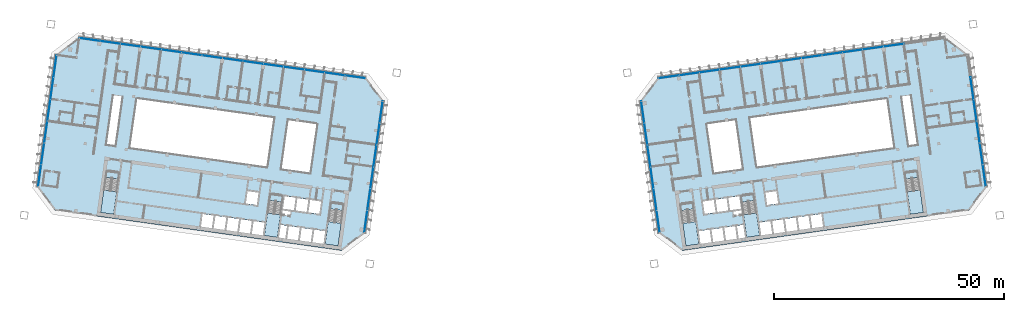
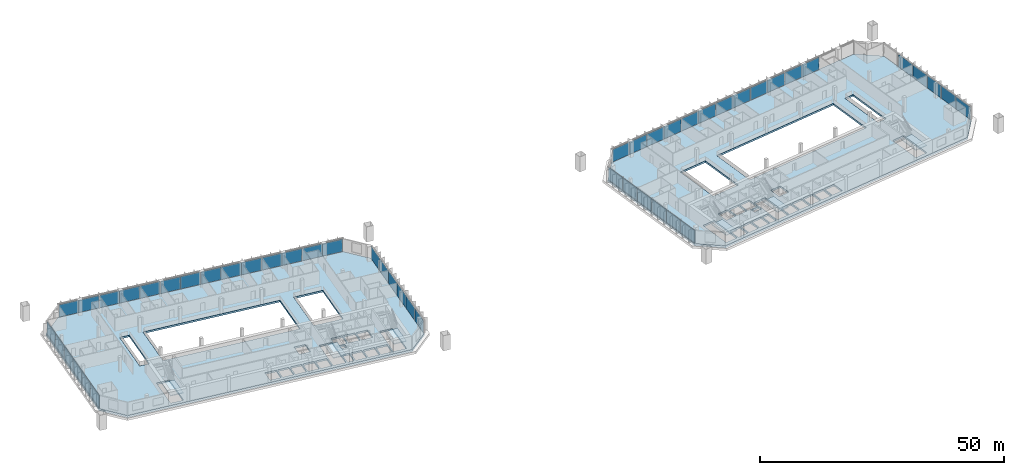
# One storey, part 12 of 24: 49 plates, 8 slabs, 12 elements without a shape of their own.
"""IFC4 building model written with IfcOpenShell, lengths in metres."""

from ifc_helpers import new_model, si_unit, direction, frame, origin, origin_2d, place, context, subcontext, project, spatial, polyline, rectangle, outline, extrude, material, layer, layer_set, type_object, element, aggregate, save


model = new_model("IFC4")

# Units and contexts
model_context = context("Model", 3, precision=1e-05, world=origin(), true_north=direction((0.0, 1.0)))
body_context = subcontext(model_context, "Body", "Model", "MODEL_VIEW")
ifc_project = project(units=[si_unit("LENGTHUNIT", "METRE"), si_unit("AREAUNIT", "SQUARE_METRE"), si_unit("VOLUMEUNIT", "CUBIC_METRE"), si_unit("PLANEANGLEUNIT", "RADIAN"), si_unit("MASSUNIT", "GRAM", prefix="KILO")], contexts=[model_context])

# Site, building, storey
site_placement = place(None, origin())
site = spatial("IfcSite", under=ifc_project, at=site_placement, CompositionType="ELEMENT")
building_placement = place(site_placement, origin())
building = spatial("IfcBuilding", under=site, at=building_placement, Name="Mirante Cascada Hotel Towers", CompositionType="ELEMENT")
storey_placement = place(building_placement, frame((0.0, 0.0, 132.9)))
storey = spatial("IfcBuildingStorey", under=building, at=storey_placement, Name="L30", CompositionType="ELEMENT", Elevation=132.9)

# Curtain wall, plates
ifc_material_1 = material(Name="Aluminium mullion and transom frame with clear laminated glass", Category="aluminium")
curtain_wall_type_1 = type_object("IfcCurtainWallType", Name="Ribbon curtain wall ECW1", PredefinedType="NOTDEFINED", material=ifc_material_1)
curtain_wall_1_placement = place(storey_placement, origin())
curtain_wall_1 = element("IfcCurtainWall", 1, at=curtain_wall_1_placement, inside=storey, type_object=curtain_wall_type_1, Name="Front ribbon wall T1 L30", PredefinedType="NOTDEFINED")
ifc_material_2 = material(Name="Clear laminated glass", Category="glass")
ifc_layer_1 = layer(ifc_material_2, 0.036)
ifc_layer_set_1 = layer_set([ifc_layer_1], Name="ECW1 glass panel 36")
plate_type_1 = type_object("IfcPlateType", Name="ECW1 glass panel 36", PredefinedType="CURTAIN_PANEL", material=ifc_layer_set_1)
plate_1_placement = place(storey_placement, frame((-91.9184, 25.7373, 0.1), z_axis=(0.0, 0.0, 1.0), x_axis=(0.9902681, -0.1391731, 0.0)))
plate_1 = element("IfcPlate", 2, at=plate_1_placement, type_object=plate_type_1, Name="ECW1 panel 1", PredefinedType="CURTAIN_PANEL", context=body_context, shape_type="SweptSolid", body=[
    extrude(rectangle(XDim=4.3936, YDim=0.036, at=origin_2d()), origin(), (0.0, 0.0, 1.0), 3.15),
])
plate_2_placement = place(storey_placement, frame((-87.487, 25.1145, 0.1), z_axis=(0.0, 0.0, 1.0), x_axis=(0.9902681, -0.1391731, 0.0)))
plate_2 = element("IfcPlate", 3, at=plate_2_placement, type_object=plate_type_1, Name="ECW1 panel 2", PredefinedType="CURTAIN_PANEL", context=body_context, shape_type="SweptSolid", body=[
    extrude(rectangle(XDim=4.4261, YDim=0.036, at=origin_2d()), origin(), (0.0, 0.0, 1.0), 3.15),
])
plate_3_placement = place(storey_placement, frame((-83.0396, 24.4895, 0.1), z_axis=(0.0, 0.0, 1.0), x_axis=(0.9902681, -0.1391731, 0.0)))
plate_3 = element("IfcPlate", 4, at=plate_3_placement, type_object=plate_type_1, Name="ECW1 panel 3", PredefinedType="CURTAIN_PANEL", context=body_context, shape_type="SweptSolid", body=[
    extrude(rectangle(XDim=4.4261, YDim=0.036, at=origin_2d()), origin(), (0.0, 0.0, 1.0), 3.15),
])
plate_4_placement = place(storey_placement, frame((-78.5922, 23.8644, 0.1), z_axis=(0.0, 0.0, 1.0), x_axis=(0.9902681, -0.1391731, 0.0)))
plate_4 = element("IfcPlate", 5, at=plate_4_placement, type_object=plate_type_1, Name="ECW1 panel 4", PredefinedType="CURTAIN_PANEL", context=body_context, shape_type="SweptSolid", body=[
    extrude(rectangle(XDim=4.4261, YDim=0.036, at=origin_2d()), origin(), (0.0, 0.0, 1.0), 3.15),
])
plate_5_placement = place(storey_placement, frame((-74.1448, 23.2394, 0.1), z_axis=(0.0, 0.0, 1.0), x_axis=(0.9902681, -0.1391731, 0.0)))
plate_5 = element("IfcPlate", 6, at=plate_5_placement, type_object=plate_type_1, Name="ECW1 panel 5", PredefinedType="CURTAIN_PANEL", context=body_context, shape_type="SweptSolid", body=[
    extrude(rectangle(XDim=4.4261, YDim=0.036, at=origin_2d()), origin(), (0.0, 0.0, 1.0), 3.15),
])
plate_6_placement = place(storey_placement, frame((-69.6974, 22.6144, 0.1), z_axis=(0.0, 0.0, 1.0), x_axis=(0.9902681, -0.1391731, 0.0)))
plate_6 = element("IfcPlate", 7, at=plate_6_placement, type_object=plate_type_1, Name="ECW1 panel 6", PredefinedType="CURTAIN_PANEL", context=body_context, shape_type="SweptSolid", body=[
    extrude(rectangle(XDim=4.4261, YDim=0.036, at=origin_2d()), origin(), (0.0, 0.0, 1.0), 3.15),
])
plate_7_placement = place(storey_placement, frame((-65.2499, 21.9893, 0.1), z_axis=(0.0, 0.0, 1.0), x_axis=(0.9902681, -0.1391731, 0.0)))
plate_7 = element("IfcPlate", 8, at=plate_7_placement, type_object=plate_type_1, Name="ECW1 panel 7", PredefinedType="CURTAIN_PANEL", context=body_context, shape_type="SweptSolid", body=[
    extrude(rectangle(XDim=4.4261, YDim=0.036, at=origin_2d()), origin(), (0.0, 0.0, 1.0), 3.15),
])
plate_8_placement = place(storey_placement, frame((-60.8025, 21.3643, 0.1), z_axis=(0.0, 0.0, 1.0), x_axis=(0.9902681, -0.1391731, 0.0)))
plate_8 = element("IfcPlate", 9, at=plate_8_placement, type_object=plate_type_1, Name="ECW1 panel 8", PredefinedType="CURTAIN_PANEL", context=body_context, shape_type="SweptSolid", body=[
    extrude(rectangle(XDim=4.4261, YDim=0.036, at=origin_2d()), origin(), (0.0, 0.0, 1.0), 3.15),
])
plate_9_placement = place(storey_placement, frame((-56.3551, 20.7392, 0.1), z_axis=(0.0, 0.0, 1.0), x_axis=(0.9902681, -0.1391731, 0.0)))
plate_9 = element("IfcPlate", 10, at=plate_9_placement, type_object=plate_type_1, Name="ECW1 panel 9", PredefinedType="CURTAIN_PANEL", context=body_context, shape_type="SweptSolid", body=[
    extrude(rectangle(XDim=4.4261, YDim=0.036, at=origin_2d()), origin(), (0.0, 0.0, 1.0), 3.15),
])
plate_10_placement = place(storey_placement, frame((-51.9077, 20.1142, 0.1), z_axis=(0.0, 0.0, 1.0), x_axis=(0.9902681, -0.1391731, 0.0)))
plate_10 = element("IfcPlate", 11, at=plate_10_placement, type_object=plate_type_1, Name="ECW1 panel 10", PredefinedType="CURTAIN_PANEL", context=body_context, shape_type="SweptSolid", body=[
    extrude(rectangle(XDim=4.4261, YDim=0.036, at=origin_2d()), origin(), (0.0, 0.0, 1.0), 3.15),
])
plate_11_placement = place(storey_placement, frame((-47.4603, 19.4891, 0.1), z_axis=(0.0, 0.0, 1.0), x_axis=(0.9902681, -0.1391731, 0.0)))
plate_11 = element("IfcPlate", 12, at=plate_11_placement, type_object=plate_type_1, Name="ECW1 panel 11", PredefinedType="CURTAIN_PANEL", context=body_context, shape_type="SweptSolid", body=[
    extrude(rectangle(XDim=4.4261, YDim=0.036, at=origin_2d()), origin(), (0.0, 0.0, 1.0), 3.15),
])
plate_12_placement = place(storey_placement, frame((-43.0129, 18.8641, 0.1), z_axis=(0.0, 0.0, 1.0), x_axis=(0.9902681, -0.1391731, 0.0)))
plate_12 = element("IfcPlate", 13, at=plate_12_placement, type_object=plate_type_1, Name="ECW1 panel 12", PredefinedType="CURTAIN_PANEL", context=body_context, shape_type="SweptSolid", body=[
    extrude(rectangle(XDim=4.4261, YDim=0.036, at=origin_2d()), origin(), (0.0, 0.0, 1.0), 3.15),
])
plate_13_placement = place(storey_placement, frame((-38.5654, 18.239, 0.1), z_axis=(0.0, 0.0, 1.0), x_axis=(0.9902681, -0.1391731, 0.0)))
plate_13 = element("IfcPlate", 14, at=plate_13_placement, type_object=plate_type_1, Name="ECW1 panel 13", PredefinedType="CURTAIN_PANEL", context=body_context, shape_type="SweptSolid", body=[
    extrude(rectangle(XDim=4.4261, YDim=0.036, at=origin_2d()), origin(), (0.0, 0.0, 1.0), 3.15),
])
plate_14_placement = place(storey_placement, frame((-34.1341, 17.6163, 0.1), z_axis=(0.0, 0.0, 1.0), x_axis=(0.9902681, -0.1391731, 0.0)))
plate_14 = element("IfcPlate", 15, at=plate_14_placement, type_object=plate_type_1, Name="ECW1 panel 14", PredefinedType="CURTAIN_PANEL", context=body_context, shape_type="SweptSolid", body=[
    extrude(rectangle(XDim=4.3936, YDim=0.036, at=origin_2d()), origin(), (0.0, 0.0, 1.0), 3.15),
])
aggregate(curtain_wall_1, [plate_1, plate_2, plate_3, plate_4, plate_5, plate_6, plate_7, plate_8, plate_9, plate_10, plate_11, plate_12, plate_13, plate_14])

curtain_wall_2_placement = place(storey_placement, origin())
curtain_wall_2 = element("IfcCurtainWall", 16, at=curtain_wall_2_placement, inside=storey, type_object=curtain_wall_type_1, Name="Front ribbon wall T2 L30", PredefinedType="NOTDEFINED")
plate_15_placement = place(storey_placement, frame((83.0396, 24.4895, 0.1), z_axis=(0.0, 0.0, 1.0), x_axis=(-0.9902681, -0.1391731, 0.0)))
plate_15 = element("IfcPlate", 17, at=plate_15_placement, type_object=plate_type_1, Name="ECW1 panel 3", PredefinedType="CURTAIN_PANEL", context=body_context, shape_type="SweptSolid", body=[
    extrude(rectangle(XDim=4.4261, YDim=0.036, at=origin_2d()), origin(), (0.0, 0.0, 1.0), 3.15),
])
plate_16_placement = place(storey_placement, frame((78.5922, 23.8644, 0.1), z_axis=(0.0, 0.0, 1.0), x_axis=(-0.9902681, -0.1391731, 0.0)))
plate_16 = element("IfcPlate", 18, at=plate_16_placement, type_object=plate_type_1, Name="ECW1 panel 4", PredefinedType="CURTAIN_PANEL", context=body_context, shape_type="SweptSolid", body=[
    extrude(rectangle(XDim=4.4261, YDim=0.036, at=origin_2d()), origin(), (0.0, 0.0, 1.0), 3.15),
])
plate_17_placement = place(storey_placement, frame((74.1448, 23.2394, 0.1), z_axis=(0.0, 0.0, 1.0), x_axis=(-0.9902681, -0.1391731, 0.0)))
plate_17 = element("IfcPlate", 19, at=plate_17_placement, type_object=plate_type_1, Name="ECW1 panel 5", PredefinedType="CURTAIN_PANEL", context=body_context, shape_type="SweptSolid", body=[
    extrude(rectangle(XDim=4.4261, YDim=0.036, at=origin_2d()), origin(), (0.0, 0.0, 1.0), 3.15),
])
plate_18_placement = place(storey_placement, frame((69.6974, 22.6144, 0.1), z_axis=(0.0, 0.0, 1.0), x_axis=(-0.9902681, -0.1391731, 0.0)))
plate_18 = element("IfcPlate", 20, at=plate_18_placement, type_object=plate_type_1, Name="ECW1 panel 6", PredefinedType="CURTAIN_PANEL", context=body_context, shape_type="SweptSolid", body=[
    extrude(rectangle(XDim=4.4261, YDim=0.036, at=origin_2d()), origin(), (0.0, 0.0, 1.0), 3.15),
])
plate_19_placement = place(storey_placement, frame((65.2499, 21.9893, 0.1), z_axis=(0.0, 0.0, 1.0), x_axis=(-0.9902681, -0.1391731, 0.0)))
plate_19 = element("IfcPlate", 21, at=plate_19_placement, type_object=plate_type_1, Name="ECW1 panel 7", PredefinedType="CURTAIN_PANEL", context=body_context, shape_type="SweptSolid", body=[
    extrude(rectangle(XDim=4.4261, YDim=0.036, at=origin_2d()), origin(), (0.0, 0.0, 1.0), 3.15),
])
plate_20_placement = place(storey_placement, frame((60.8025, 21.3643, 0.1), z_axis=(0.0, 0.0, 1.0), x_axis=(-0.9902681, -0.1391731, 0.0)))
plate_20 = element("IfcPlate", 22, at=plate_20_placement, type_object=plate_type_1, Name="ECW1 panel 8", PredefinedType="CURTAIN_PANEL", context=body_context, shape_type="SweptSolid", body=[
    extrude(rectangle(XDim=4.4261, YDim=0.036, at=origin_2d()), origin(), (0.0, 0.0, 1.0), 3.15),
])
plate_21_placement = place(storey_placement, frame((56.3551, 20.7392, 0.1), z_axis=(0.0, 0.0, 1.0), x_axis=(-0.9902681, -0.1391731, 0.0)))
plate_21 = element("IfcPlate", 23, at=plate_21_placement, type_object=plate_type_1, Name="ECW1 panel 9", PredefinedType="CURTAIN_PANEL", context=body_context, shape_type="SweptSolid", body=[
    extrude(rectangle(XDim=4.4261, YDim=0.036, at=origin_2d()), origin(), (0.0, 0.0, 1.0), 3.15),
])
plate_22_placement = place(storey_placement, frame((51.9077, 20.1142, 0.1), z_axis=(0.0, 0.0, 1.0), x_axis=(-0.9902681, -0.1391731, 0.0)))
plate_22 = element("IfcPlate", 24, at=plate_22_placement, type_object=plate_type_1, Name="ECW1 panel 10", PredefinedType="CURTAIN_PANEL", context=body_context, shape_type="SweptSolid", body=[
    extrude(rectangle(XDim=4.4261, YDim=0.036, at=origin_2d()), origin(), (0.0, 0.0, 1.0), 3.15),
])
plate_23_placement = place(storey_placement, frame((47.4603, 19.4891, 0.1), z_axis=(0.0, 0.0, 1.0), x_axis=(-0.9902681, -0.1391731, 0.0)))
plate_23 = element("IfcPlate", 25, at=plate_23_placement, type_object=plate_type_1, Name="ECW1 panel 11", PredefinedType="CURTAIN_PANEL", context=body_context, shape_type="SweptSolid", body=[
    extrude(rectangle(XDim=4.4261, YDim=0.036, at=origin_2d()), origin(), (0.0, 0.0, 1.0), 3.15),
])
plate_24_placement = place(storey_placement, frame((43.0129, 18.8641, 0.1), z_axis=(0.0, 0.0, 1.0), x_axis=(-0.9902681, -0.1391731, 0.0)))
plate_24 = element("IfcPlate", 26, at=plate_24_placement, type_object=plate_type_1, Name="ECW1 panel 12", PredefinedType="CURTAIN_PANEL", context=body_context, shape_type="SweptSolid", body=[
    extrude(rectangle(XDim=4.4261, YDim=0.036, at=origin_2d()), origin(), (0.0, 0.0, 1.0), 3.15),
])
plate_25_placement = place(storey_placement, frame((38.5654, 18.239, 0.1), z_axis=(0.0, 0.0, 1.0), x_axis=(-0.9902681, -0.1391731, 0.0)))
plate_25 = element("IfcPlate", 27, at=plate_25_placement, type_object=plate_type_1, Name="ECW1 panel 13", PredefinedType="CURTAIN_PANEL", context=body_context, shape_type="SweptSolid", body=[
    extrude(rectangle(XDim=4.4261, YDim=0.036, at=origin_2d()), origin(), (0.0, 0.0, 1.0), 3.15),
])
plate_26_placement = place(storey_placement, frame((34.1341, 17.6163, 0.1), z_axis=(0.0, 0.0, 1.0), x_axis=(-0.9902681, -0.1391731, 0.0)))
plate_26 = element("IfcPlate", 28, at=plate_26_placement, type_object=plate_type_1, Name="ECW1 panel 14", PredefinedType="CURTAIN_PANEL", context=body_context, shape_type="SweptSolid", body=[
    extrude(rectangle(XDim=4.3936, YDim=0.036, at=origin_2d()), origin(), (0.0, 0.0, 1.0), 3.15),
])
aggregate(curtain_wall_2, [plate_15, plate_16, plate_17, plate_18, plate_19, plate_20, plate_21, plate_22, plate_23, plate_24, plate_25, plate_26])

ifc_material_3 = material(Name="Aluminium mullion and transom frame with clear laminated glass", Category="aluminium")
curtain_wall_type_2 = type_object("IfcCurtainWallType", Name="End ribbon curtain wall ECW2", PredefinedType="NOTDEFINED", material=ifc_material_3)
curtain_wall_3_placement = place(storey_placement, origin())
curtain_wall_3 = element("IfcCurtainWall", 29, at=curtain_wall_3_placement, inside=storey, type_object=curtain_wall_type_2, Name="Inner end wall T1 L30", PredefinedType="NOTDEFINED")
ifc_material_4 = material(Name="Clear laminated glass", Category="glass")
ifc_layer_2 = layer(ifc_material_4, 0.034)
ifc_layer_set_2 = layer_set([ifc_layer_2], Name="ECW2 glass panel 34")
plate_type_2 = type_object("IfcPlateType", Name="ECW2 glass panel 34", PredefinedType="CURTAIN_PANEL", material=ifc_layer_set_2)
plate_27_placement = place(storey_placement, frame((-28.4763, 9.9193, 0.1), z_axis=(0.0, 0.0, 1.0), x_axis=(-0.1391731, -0.9902681, 0.0)))
plate_27 = element("IfcPlate", 30, at=plate_27_placement, type_object=plate_type_2, Name="ECW2 panel 1", PredefinedType="CURTAIN_PANEL", context=body_context, shape_type="SweptSolid", body=[
    extrude(rectangle(XDim=4.7151, YDim=0.034, at=origin_2d()), origin(), (0.0, 0.0, 1.0), 3.15),
])
plate_28_placement = place(storey_placement, frame((-29.1439, 5.1696, 0.1), z_axis=(0.0, 0.0, 1.0), x_axis=(-0.1391731, -0.9902681, 0.0)))
plate_28 = element("IfcPlate", 31, at=plate_28_placement, type_object=plate_type_2, Name="ECW2 panel 2", PredefinedType="CURTAIN_PANEL", context=body_context, shape_type="SweptSolid", body=[
    extrude(rectangle(XDim=4.7476, YDim=0.034, at=origin_2d()), origin(), (0.0, 0.0, 1.0), 3.15),
])
plate_29_placement = place(storey_placement, frame((-29.8136, 0.4038, 0.1), z_axis=(0.0, 0.0, 1.0), x_axis=(-0.1391731, -0.9902681, 0.0)))
plate_29 = element("IfcPlate", 32, at=plate_29_placement, type_object=plate_type_2, Name="ECW2 panel 3", PredefinedType="CURTAIN_PANEL", context=body_context, shape_type="SweptSolid", body=[
    extrude(rectangle(XDim=4.7476, YDim=0.034, at=origin_2d()), origin(), (0.0, 0.0, 1.0), 3.15),
])
plate_30_placement = place(storey_placement, frame((-30.4834, -4.362, 0.1), z_axis=(0.0, 0.0, 1.0), x_axis=(-0.1391731, -0.9902681, 0.0)))
plate_30 = element("IfcPlate", 33, at=plate_30_placement, type_object=plate_type_2, Name="ECW2 panel 4", PredefinedType="CURTAIN_PANEL", context=body_context, shape_type="SweptSolid", body=[
    extrude(rectangle(XDim=4.7476, YDim=0.034, at=origin_2d()), origin(), (0.0, 0.0, 1.0), 3.15),
])
plate_31_placement = place(storey_placement, frame((-31.1532, -9.1278, 0.1), z_axis=(0.0, 0.0, 1.0), x_axis=(-0.1391731, -0.9902681, 0.0)))
plate_31 = element("IfcPlate", 34, at=plate_31_placement, type_object=plate_type_2, Name="ECW2 panel 5", PredefinedType="CURTAIN_PANEL", context=body_context, shape_type="SweptSolid", body=[
    extrude(rectangle(XDim=4.7476, YDim=0.034, at=origin_2d()), origin(), (0.0, 0.0, 1.0), 3.15),
])
plate_32_placement = place(storey_placement, frame((-31.8207, -13.8775, 0.1), z_axis=(0.0, 0.0, 1.0), x_axis=(-0.1391731, -0.9902681, 0.0)))
plate_32 = element("IfcPlate", 35, at=plate_32_placement, type_object=plate_type_2, Name="ECW2 panel 6", PredefinedType="CURTAIN_PANEL", context=body_context, shape_type="SweptSolid", body=[
    extrude(rectangle(XDim=4.7151, YDim=0.034, at=origin_2d()), origin(), (0.0, 0.0, 1.0), 3.15),
])
aggregate(curtain_wall_3, [plate_27, plate_28, plate_29, plate_30, plate_31, plate_32])

curtain_wall_4_placement = place(storey_placement, origin())
curtain_wall_4 = element("IfcCurtainWall", 36, at=curtain_wall_4_placement, inside=storey, type_object=curtain_wall_type_2, Name="Outer end wall T1 L30", PredefinedType="NOTDEFINED")
plate_33_placement = place(storey_placement, frame((-102.823, -3.8988, 0.1), z_axis=(0.0, 0.0, 1.0), x_axis=(0.1391731, 0.9902681, 0.0)))
plate_33 = element("IfcPlate", 37, at=plate_33_placement, type_object=plate_type_2, Name="ECW2 panel 1", PredefinedType="CURTAIN_PANEL", context=body_context, shape_type="SweptSolid", body=[
    extrude(rectangle(XDim=4.7151, YDim=0.034, at=origin_2d()), origin(), (0.0, 0.0, 1.0), 3.15),
])
plate_34_placement = place(storey_placement, frame((-101.4857, 5.6167, 0.1), z_axis=(0.0, 0.0, 1.0), x_axis=(0.1391731, 0.9902681, 0.0)))
plate_34 = element("IfcPlate", 38, at=plate_34_placement, type_object=plate_type_2, Name="ECW2 panel 3", PredefinedType="CURTAIN_PANEL", context=body_context, shape_type="SweptSolid", body=[
    extrude(rectangle(XDim=4.7476, YDim=0.034, at=origin_2d()), origin(), (0.0, 0.0, 1.0), 3.15),
])
plate_35_placement = place(storey_placement, frame((-100.8159, 10.3825, 0.1), z_axis=(0.0, 0.0, 1.0), x_axis=(0.1391731, 0.9902681, 0.0)))
plate_35 = element("IfcPlate", 39, at=plate_35_placement, type_object=plate_type_2, Name="ECW2 panel 4", PredefinedType="CURTAIN_PANEL", context=body_context, shape_type="SweptSolid", body=[
    extrude(rectangle(XDim=4.7476, YDim=0.034, at=origin_2d()), origin(), (0.0, 0.0, 1.0), 3.15),
])
plate_36_placement = place(storey_placement, frame((-99.4786, 19.898, 0.1), z_axis=(0.0, 0.0, 1.0), x_axis=(0.1391731, 0.9902681, 0.0)))
plate_36 = element("IfcPlate", 40, at=plate_36_placement, type_object=plate_type_2, Name="ECW2 panel 6", PredefinedType="CURTAIN_PANEL", context=body_context, shape_type="SweptSolid", body=[
    extrude(rectangle(XDim=4.7151, YDim=0.034, at=origin_2d()), origin(), (0.0, 0.0, 1.0), 3.15),
])

curtain_wall_5_placement = place(storey_placement, origin())
curtain_wall_5 = element("IfcCurtainWall", 41, at=curtain_wall_5_placement, inside=storey, type_object=curtain_wall_type_2, Name="Inner end wall T2 L30", PredefinedType="NOTDEFINED")
plate_37_placement = place(storey_placement, frame((28.4763, 9.9193, 0.1), z_axis=(0.0, 0.0, 1.0), x_axis=(0.1391731, -0.9902681, 0.0)))
plate_37 = element("IfcPlate", 42, at=plate_37_placement, type_object=plate_type_2, Name="ECW2 panel 1", PredefinedType="CURTAIN_PANEL", context=body_context, shape_type="SweptSolid", body=[
    extrude(rectangle(XDim=4.7151, YDim=0.034, at=origin_2d()), origin(), (0.0, 0.0, 1.0), 3.15),
])
plate_38_placement = place(storey_placement, frame((29.1439, 5.1696, 0.1), z_axis=(0.0, 0.0, 1.0), x_axis=(0.1391731, -0.9902681, 0.0)))
plate_38 = element("IfcPlate", 43, at=plate_38_placement, type_object=plate_type_2, Name="ECW2 panel 2", PredefinedType="CURTAIN_PANEL", context=body_context, shape_type="SweptSolid", body=[
    extrude(rectangle(XDim=4.7476, YDim=0.034, at=origin_2d()), origin(), (0.0, 0.0, 1.0), 3.15),
])
plate_39_placement = place(storey_placement, frame((29.8136, 0.4038, 0.1), z_axis=(0.0, 0.0, 1.0), x_axis=(0.1391731, -0.9902681, 0.0)))
plate_39 = element("IfcPlate", 44, at=plate_39_placement, type_object=plate_type_2, Name="ECW2 panel 3", PredefinedType="CURTAIN_PANEL", context=body_context, shape_type="SweptSolid", body=[
    extrude(rectangle(XDim=4.7476, YDim=0.034, at=origin_2d()), origin(), (0.0, 0.0, 1.0), 3.15),
])
plate_40_placement = place(storey_placement, frame((30.4834, -4.362, 0.1), z_axis=(0.0, 0.0, 1.0), x_axis=(0.1391731, -0.9902681, 0.0)))
plate_40 = element("IfcPlate", 45, at=plate_40_placement, type_object=plate_type_2, Name="ECW2 panel 4", PredefinedType="CURTAIN_PANEL", context=body_context, shape_type="SweptSolid", body=[
    extrude(rectangle(XDim=4.7476, YDim=0.034, at=origin_2d()), origin(), (0.0, 0.0, 1.0), 3.15),
])
plate_41_placement = place(storey_placement, frame((31.1532, -9.1278, 0.1), z_axis=(0.0, 0.0, 1.0), x_axis=(0.1391731, -0.9902681, 0.0)))
plate_41 = element("IfcPlate", 46, at=plate_41_placement, type_object=plate_type_2, Name="ECW2 panel 5", PredefinedType="CURTAIN_PANEL", context=body_context, shape_type="SweptSolid", body=[
    extrude(rectangle(XDim=4.7476, YDim=0.034, at=origin_2d()), origin(), (0.0, 0.0, 1.0), 3.15),
])
plate_42_placement = place(storey_placement, frame((31.8207, -13.8775, 0.1), z_axis=(0.0, 0.0, 1.0), x_axis=(0.1391731, -0.9902681, 0.0)))
plate_42 = element("IfcPlate", 47, at=plate_42_placement, type_object=plate_type_2, Name="ECW2 panel 6", PredefinedType="CURTAIN_PANEL", context=body_context, shape_type="SweptSolid", body=[
    extrude(rectangle(XDim=4.7151, YDim=0.034, at=origin_2d()), origin(), (0.0, 0.0, 1.0), 3.15),
])
aggregate(curtain_wall_5, [plate_37, plate_38, plate_39, plate_40, plate_41, plate_42])

curtain_wall_6_placement = place(storey_placement, origin())
curtain_wall_6 = element("IfcCurtainWall", 48, at=curtain_wall_6_placement, inside=storey, type_object=curtain_wall_type_2, Name="Outer end wall T2 L30", PredefinedType="NOTDEFINED")
plate_43_placement = place(storey_placement, frame((102.823, -3.8988, 0.1), z_axis=(0.0, 0.0, 1.0), x_axis=(-0.1391731, 0.9902681, 0.0)))
plate_43 = element("IfcPlate", 49, at=plate_43_placement, type_object=plate_type_2, Name="ECW2 panel 1", PredefinedType="CURTAIN_PANEL", context=body_context, shape_type="SweptSolid", body=[
    extrude(rectangle(XDim=4.7151, YDim=0.034, at=origin_2d()), origin(), (0.0, 0.0, 1.0), 3.15),
])
plate_44_placement = place(storey_placement, frame((101.4857, 5.6167, 0.1), z_axis=(0.0, 0.0, 1.0), x_axis=(-0.1391731, 0.9902681, 0.0)))
plate_44 = element("IfcPlate", 50, at=plate_44_placement, type_object=plate_type_2, Name="ECW2 panel 3", PredefinedType="CURTAIN_PANEL", context=body_context, shape_type="SweptSolid", body=[
    extrude(rectangle(XDim=4.7476, YDim=0.034, at=origin_2d()), origin(), (0.0, 0.0, 1.0), 3.15),
])
plate_45_placement = place(storey_placement, frame((100.8159, 10.3825, 0.1), z_axis=(0.0, 0.0, 1.0), x_axis=(-0.1391731, 0.9902681, 0.0)))
plate_45 = element("IfcPlate", 51, at=plate_45_placement, type_object=plate_type_2, Name="ECW2 panel 4", PredefinedType="CURTAIN_PANEL", context=body_context, shape_type="SweptSolid", body=[
    extrude(rectangle(XDim=4.7476, YDim=0.034, at=origin_2d()), origin(), (0.0, 0.0, 1.0), 3.15),
])

# Plate
ifc_material_5 = material(Name="Insulated aluminium spandrel panel", Category="aluminium")
ifc_layer_3 = layer(ifc_material_5, 0.034)
ifc_layer_set_3 = layer_set([ifc_layer_3], Name="ECW2 spandrel panel 34")
plate_type_3 = type_object("IfcPlateType", Name="ECW2 spandrel panel 34", PredefinedType="CURTAIN_PANEL", material=ifc_layer_set_3)
plate_46_placement = place(storey_placement, frame((-102.1554, 0.8509, 0.1), z_axis=(0.0, 0.0, 1.0), x_axis=(0.1391731, 0.9902681, 0.0)))
plate_46 = element("IfcPlate", 52, at=plate_46_placement, type_object=plate_type_3, Name="ECW2 panel 2", PredefinedType="CURTAIN_PANEL", context=body_context, shape_type="SweptSolid", body=[
    extrude(rectangle(XDim=4.7476, YDim=0.034, at=origin_2d()), origin(), (0.0, 0.0, 1.0), 3.15),
])

plate_47_placement = place(storey_placement, frame((-100.1461, 15.1483, 0.1), z_axis=(0.0, 0.0, 1.0), x_axis=(0.1391731, 0.9902681, 0.0)))
plate_47 = element("IfcPlate", 53, at=plate_47_placement, type_object=plate_type_3, Name="ECW2 panel 5", PredefinedType="CURTAIN_PANEL", context=body_context, shape_type="SweptSolid", body=[
    extrude(rectangle(XDim=4.7476, YDim=0.034, at=origin_2d()), origin(), (0.0, 0.0, 1.0), 3.15),
])

aggregate(curtain_wall_4, [plate_33, plate_46, plate_34, plate_35, plate_47, plate_36])

plate_48_placement = place(storey_placement, frame((102.1554, 0.8509, 0.1), z_axis=(0.0, 0.0, 1.0), x_axis=(-0.1391731, 0.9902681, 0.0)))
plate_48 = element("IfcPlate", 54, at=plate_48_placement, type_object=plate_type_3, Name="ECW2 panel 2", PredefinedType="CURTAIN_PANEL", context=body_context, shape_type="SweptSolid", body=[
    extrude(rectangle(XDim=4.7476, YDim=0.034, at=origin_2d()), origin(), (0.0, 0.0, 1.0), 3.15),
])

plate_49_placement = place(storey_placement, frame((100.1461, 15.1483, 0.1), z_axis=(0.0, 0.0, 1.0), x_axis=(-0.1391731, 0.9902681, 0.0)))
plate_49 = element("IfcPlate", 55, at=plate_49_placement, type_object=plate_type_3, Name="ECW2 panel 5", PredefinedType="CURTAIN_PANEL", context=body_context, shape_type="SweptSolid", body=[
    extrude(rectangle(XDim=4.7476, YDim=0.034, at=origin_2d()), origin(), (0.0, 0.0, 1.0), 3.15),
])

aggregate(curtain_wall_6, [plate_43, plate_48, plate_44, plate_45, plate_49])

# Stair, slab
ifc_material_6 = material(Name="Concrete C35/45", Category="concrete")
stair_type = type_object("IfcStairType", Name="Exit stair half-turn 1350 concrete C35/45", PredefinedType="HALF_TURN_STAIR", material=ifc_material_6)
stair_1_placement = place(storey_placement, origin())
stair_1 = element("IfcStair", 56, at=stair_1_placement, inside=storey, type_object=stair_type, Name="L30 Exit stair A", PredefinedType="HALF_TURN_STAIR")
ifc_material_7 = material(Name="Concrete C35/45", Category="concrete")
ifc_layer_4 = layer(ifc_material_7, 0.2)
ifc_layer_set_4 = layer_set([ifc_layer_4], Name="Exit stair landing 200 concrete C35/45")
slab_type_1 = type_object("IfcSlabType", Name="Exit stair landing 200 concrete C35/45", PredefinedType="LANDING", material=ifc_layer_set_4)
slab_1_placement = place(storey_placement, frame((0.0, 0.0, 1.7)))
slab_1 = element("IfcSlab", 57, at=slab_1_placement, type_object=slab_type_1, Name="ST1-A landing 1", PredefinedType="LANDING", context=body_context, shape_type="SweptSolid", body=[
    extrude(outline(polyline([(-39.9987, -13.8659), (-40.6887, -18.7757), (-37.8665, -19.1723), (-37.1765, -14.2626), (-39.9987, -13.8659)])), origin(), (0.0, 0.0, 1.0), 0.2),
])
aggregate(stair_1, [slab_1])

stair_2_placement = place(storey_placement, origin())
stair_2 = element("IfcStair", 58, at=stair_2_placement, inside=storey, type_object=stair_type, Name="L30 Exit stair B", PredefinedType="HALF_TURN_STAIR")
slab_2_placement = place(storey_placement, frame((0.0, 0.0, 1.7)))
slab_2 = element("IfcSlab", 59, at=slab_2_placement, type_object=slab_type_1, Name="ST1-B landing 1", PredefinedType="LANDING", context=body_context, shape_type="SweptSolid", body=[
    extrude(outline(polyline([(-53.2188, -12.008), (-53.9088, -16.9177), (-51.0866, -17.3144), (-50.3965, -12.4046), (-53.2188, -12.008)])), origin(), (0.0, 0.0, 1.0), 0.2),
])
aggregate(stair_2, [slab_2])

stair_3_placement = place(storey_placement, origin())
stair_3 = element("IfcStair", 60, at=stair_3_placement, inside=storey, type_object=stair_type, Name="L30 Exit stair C", PredefinedType="HALF_TURN_STAIR")
slab_3_placement = place(storey_placement, frame((0.0, 0.0, 1.7)))
slab_3 = element("IfcSlab", 61, at=slab_3_placement, type_object=slab_type_1, Name="ST1-C landing 1", PredefinedType="LANDING", context=body_context, shape_type="SweptSolid", body=[
    extrude(outline(polyline([(-88.8685, -6.9977), (-89.5585, -11.9075), (-86.7362, -12.3041), (-86.0462, -7.3944), (-88.8685, -6.9977)])), origin(), (0.0, 0.0, 1.0), 0.2),
])
aggregate(stair_3, [slab_3])

stair_4_placement = place(storey_placement, origin())
stair_4 = element("IfcStair", 62, at=stair_4_placement, inside=storey, type_object=stair_type, Name="L30 Exit stair A", PredefinedType="HALF_TURN_STAIR")
slab_4_placement = place(storey_placement, frame((0.0, 0.0, 1.7)))
slab_4 = element("IfcSlab", 63, at=slab_4_placement, type_object=slab_type_1, Name="ST2-A landing 1", PredefinedType="LANDING", context=body_context, shape_type="SweptSolid", body=[
    extrude(outline(polyline([(37.1765, -14.2626), (37.8665, -19.1723), (40.6887, -18.7757), (39.9987, -13.8659), (37.1765, -14.2626)])), origin(), (0.0, 0.0, 1.0), 0.2),
])
aggregate(stair_4, [slab_4])

stair_5_placement = place(storey_placement, origin())
stair_5 = element("IfcStair", 64, at=stair_5_placement, inside=storey, type_object=stair_type, Name="L30 Exit stair B", PredefinedType="HALF_TURN_STAIR")
slab_5_placement = place(storey_placement, frame((0.0, 0.0, 1.7)))
slab_5 = element("IfcSlab", 65, at=slab_5_placement, type_object=slab_type_1, Name="ST2-B landing 1", PredefinedType="LANDING", context=body_context, shape_type="SweptSolid", body=[
    extrude(outline(polyline([(50.3965, -12.4046), (51.0866, -17.3144), (53.9088, -16.9177), (53.2188, -12.008), (50.3965, -12.4046)])), origin(), (0.0, 0.0, 1.0), 0.2),
])
aggregate(stair_5, [slab_5])

stair_6_placement = place(storey_placement, origin())
stair_6 = element("IfcStair", 66, at=stair_6_placement, inside=storey, type_object=stair_type, Name="L30 Exit stair C", PredefinedType="HALF_TURN_STAIR")
slab_6_placement = place(storey_placement, frame((0.0, 0.0, 1.7)))
slab_6 = element("IfcSlab", 67, at=slab_6_placement, type_object=slab_type_1, Name="ST2-C landing 1", PredefinedType="LANDING", context=body_context, shape_type="SweptSolid", body=[
    extrude(outline(polyline([(86.0462, -7.3944), (86.7362, -12.3041), (89.5585, -11.9075), (88.8685, -6.9977), (86.0462, -7.3944)])), origin(), (0.0, 0.0, 1.0), 0.2),
])
aggregate(stair_6, [slab_6])

# Slabs
ifc_material_8 = material(Name="Concrete C40/50", Category="concrete")
ifc_layer_5 = layer(ifc_material_8, 0.45)
ifc_layer_set_5 = layer_set([ifc_layer_5], Name="Post-tensioned flat plate 450 Concrete C40/50")
slab_type_2 = type_object("IfcSlabType", Name="Post-tensioned flat plate 450 Concrete C40/50", PredefinedType="FLOOR", material=ifc_layer_set_5)
slab_7_placement = place(storey_placement, frame((0.0, 0.0, -0.45)))
element("IfcSlab", 68, at=slab_7_placement, inside=storey, type_object=slab_type_2, Name="Floor T1 L30", PredefinedType="FLOOR", context=body_context, shape_type="SweptSolid", body=[
    extrude(outline(polyline([(-32.018, -16.3589), (-27.982, 12.3589), (-31.8119, 17.4414), (-94.1988, 26.2093), (-99.2813, 22.3794), (-103.3173, -6.3384), (-99.4874, -11.4209), (-37.1005, -20.1888), (-32.018, -16.3589)]), holes=[polyline([(-43.0718, -15.6132), (-40.5961, -15.9612), (-40.9858, -18.7339), (-43.4615, -18.386), (-43.0718, -15.6132)]), polyline([(-45.8446, -15.2236), (-43.3689, -15.5715), (-43.7586, -18.3442), (-46.2342, -17.9963), (-45.8446, -15.2236)]), polyline([(-48.6173, -14.8339), (-46.1416, -15.1818), (-46.5313, -17.9546), (-49.007, -17.6066), (-48.6173, -14.8339)]), polyline([(-50.3998, -14.5834), (-48.9144, -14.7921), (-49.3041, -17.5649), (-50.7895, -17.3561), (-50.3998, -14.5834)]), polyline([(-36.7887, -11.5037), (-37.8665, -19.1723), (-40.6887, -18.7757), (-39.611, -11.107), (-36.7887, -11.5037)]), polyline([(-49.9544, -11.4145), (-48.1472, -11.6685), (-48.2829, -12.634), (-50.0901, -12.38), (-49.9544, -11.4145)]), polyline([(-43.9775, -9.124), (-41.5018, -9.472), (-41.8915, -12.2447), (-44.3672, -11.8968), (-43.9775, -9.124)]), polyline([(-47.1399, -11.5071), (-46.7503, -8.7344), (-44.2746, -9.0823), (-44.6643, -11.855), (-47.1399, -11.5071)]), polyline([(-49.9127, -11.1174), (-49.523, -8.3447), (-47.0473, -8.6926), (-47.437, -11.4654), (-49.9127, -11.1174)]), polyline([(-56.2919, -13.7553), (-53.8162, -14.1032), (-54.2059, -16.876), (-56.6816, -16.528), (-56.2919, -13.7553)]), polyline([(-59.0646, -13.3656), (-56.589, -13.7135), (-56.9787, -16.4863), (-59.4543, -16.1383), (-59.0646, -13.3656)]), polyline([(-61.8374, -12.9759), (-59.3617, -13.3238), (-59.7514, -16.0966), (-62.2271, -15.7487), (-61.8374, -12.9759)]), polyline([(-64.6101, -12.5862), (-62.1345, -12.9342), (-62.5242, -15.7069), (-64.9998, -15.359), (-64.6101, -12.5862)]), polyline([(-67.3829, -12.1965), (-64.9072, -12.5445), (-65.2969, -15.3172), (-67.7726, -14.9693), (-67.3829, -12.1965)]), polyline([(-50.0088, -9.6457), (-51.0866, -17.3144), (-53.9088, -16.9177), (-52.8311, -9.2491), (-50.0088, -9.6457)]), polyline([(-85.6585, -4.6355), (-86.7362, -12.3041), (-89.5585, -11.9075), (-88.4807, -4.2388), (-85.6585, -4.6355)]), polyline([(-57.9834, -9.9832), (-57.5937, -7.2104), (-55.118, -7.5583), (-55.5077, -10.3311), (-57.9834, -9.9832)]), polyline([(-86.873, 13.6677), (-84.7325, 13.3668), (-84.7325, 13.3668), (-86.2634, 2.4739), (-86.2634, 2.4739), (-88.4039, 2.7747), (-86.873, 13.6677)]), polyline([(-51.7318, 8.7289), (-53.2627, -2.1641), (-53.2627, -2.1641), (-83.2906, 2.0561), (-83.2906, 2.0561), (-81.7597, 12.949), (-81.7597, 12.949), (-51.7318, 8.7289)]), polyline([(-42.3109, 7.4049), (-43.8418, -3.4881), (-50.2899, -2.5818), (-50.2899, -2.5818), (-48.759, 8.3111), (-42.3109, 7.4049)])]), origin(), (0.0, 0.0, 1.0), 0.45),
])
slab_8_placement = place(storey_placement, frame((0.0, 0.0, -0.45)))
element("IfcSlab", 69, at=slab_8_placement, inside=storey, type_object=slab_type_2, Name="Floor T2 L30", PredefinedType="FLOOR", context=body_context, shape_type="SweptSolid", body=[
    extrude(outline(polyline([(32.018, -16.3589), (27.982, 12.3589), (31.8119, 17.4414), (94.1988, 26.2093), (99.2813, 22.3794), (103.3173, -6.3384), (99.4874, -11.4209), (37.1005, -20.1888), (32.018, -16.3589)]), holes=[polyline([(43.0718, -15.6132), (40.5961, -15.9612), (40.9858, -18.7339), (43.4615, -18.386), (43.0718, -15.6132)]), polyline([(45.8446, -15.2236), (43.3689, -15.5715), (43.7586, -18.3442), (46.2342, -17.9963), (45.8446, -15.2236)]), polyline([(48.6173, -14.8339), (46.1416, -15.1818), (46.5313, -17.9546), (49.007, -17.6066), (48.6173, -14.8339)]), polyline([(50.3998, -14.5834), (48.9144, -14.7921), (49.3041, -17.5649), (50.7895, -17.3561), (50.3998, -14.5834)]), polyline([(37.8665, -19.1723), (40.6887, -18.7757), (39.611, -11.107), (36.7887, -11.5037), (37.8665, -19.1723)]), polyline([(49.9544, -11.4145), (48.1472, -11.6685), (48.2829, -12.634), (50.0901, -12.38), (49.9544, -11.4145)]), polyline([(43.9775, -9.124), (41.5018, -9.472), (41.8915, -12.2447), (44.3672, -11.8968), (43.9775, -9.124)]), polyline([(47.1399, -11.5071), (46.7503, -8.7344), (44.2746, -9.0823), (44.6643, -11.855), (47.1399, -11.5071)]), polyline([(49.9127, -11.1174), (49.523, -8.3447), (47.0473, -8.6926), (47.437, -11.4654), (49.9127, -11.1174)]), polyline([(56.2919, -13.7553), (53.8162, -14.1032), (54.2059, -16.876), (56.6816, -16.528), (56.2919, -13.7553)]), polyline([(59.0646, -13.3656), (56.589, -13.7135), (56.9787, -16.4863), (59.4543, -16.1383), (59.0646, -13.3656)]), polyline([(61.8374, -12.9759), (59.3617, -13.3238), (59.7514, -16.0966), (62.2271, -15.7487), (61.8374, -12.9759)]), polyline([(64.6101, -12.5862), (62.1345, -12.9342), (62.5242, -15.7069), (64.9998, -15.359), (64.6101, -12.5862)]), polyline([(67.3829, -12.1965), (64.9072, -12.5445), (65.2969, -15.3172), (67.7726, -14.9693), (67.3829, -12.1965)]), polyline([(51.0866, -17.3144), (53.9088, -16.9177), (52.8311, -9.2491), (50.0088, -9.6457), (51.0866, -17.3144)]), polyline([(86.7362, -12.3041), (89.5585, -11.9075), (88.4807, -4.2388), (85.6585, -4.6355), (86.7362, -12.3041)]), polyline([(57.9834, -9.9832), (57.5937, -7.2104), (55.118, -7.5583), (55.5077, -10.3311), (57.9834, -9.9832)]), polyline([(86.873, 13.6677), (88.4039, 2.7747), (86.2634, 2.4739), (86.2634, 2.4739), (84.7325, 13.3668), (84.7325, 13.3668), (86.873, 13.6677)]), polyline([(81.7597, 12.949), (81.7597, 12.949), (83.2906, 2.0561), (83.2906, 2.0561), (53.2627, -2.1641), (53.2627, -2.1641), (51.7318, 8.7289), (81.7597, 12.949)]), polyline([(43.8418, -3.4881), (42.3109, 7.4049), (48.759, 8.3111), (50.2899, -2.5818), (50.2899, -2.5818), (43.8418, -3.4881)])]), origin(), (0.0, 0.0, 1.0), 0.45),
])

save(model, "model.ifc")
